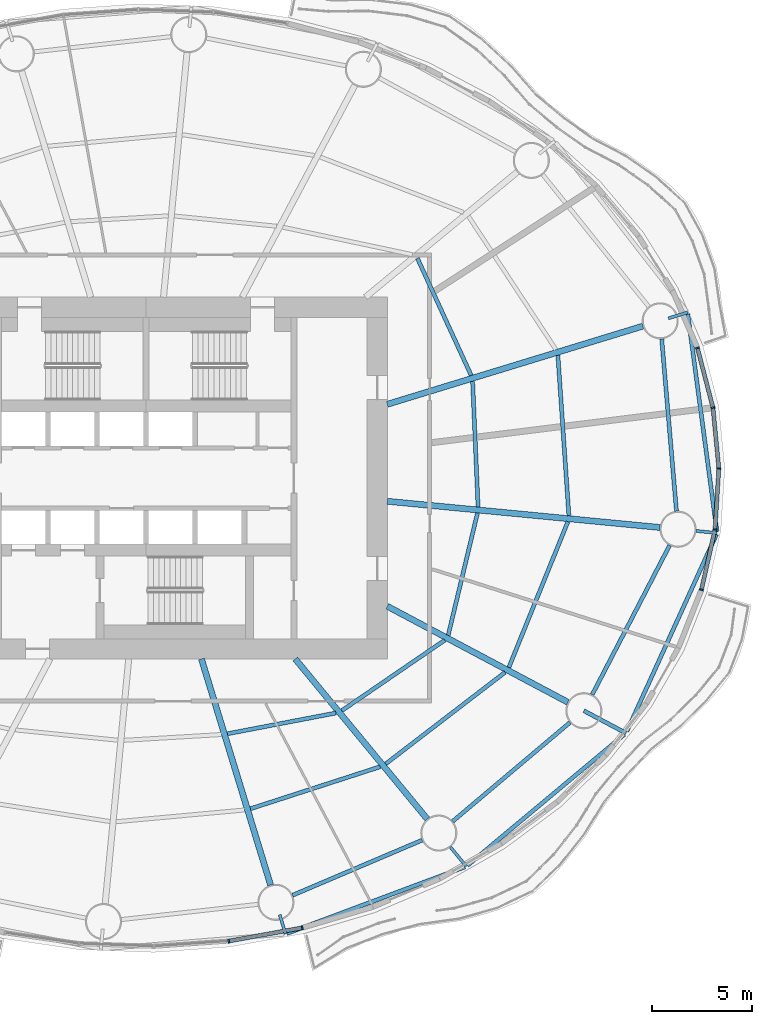
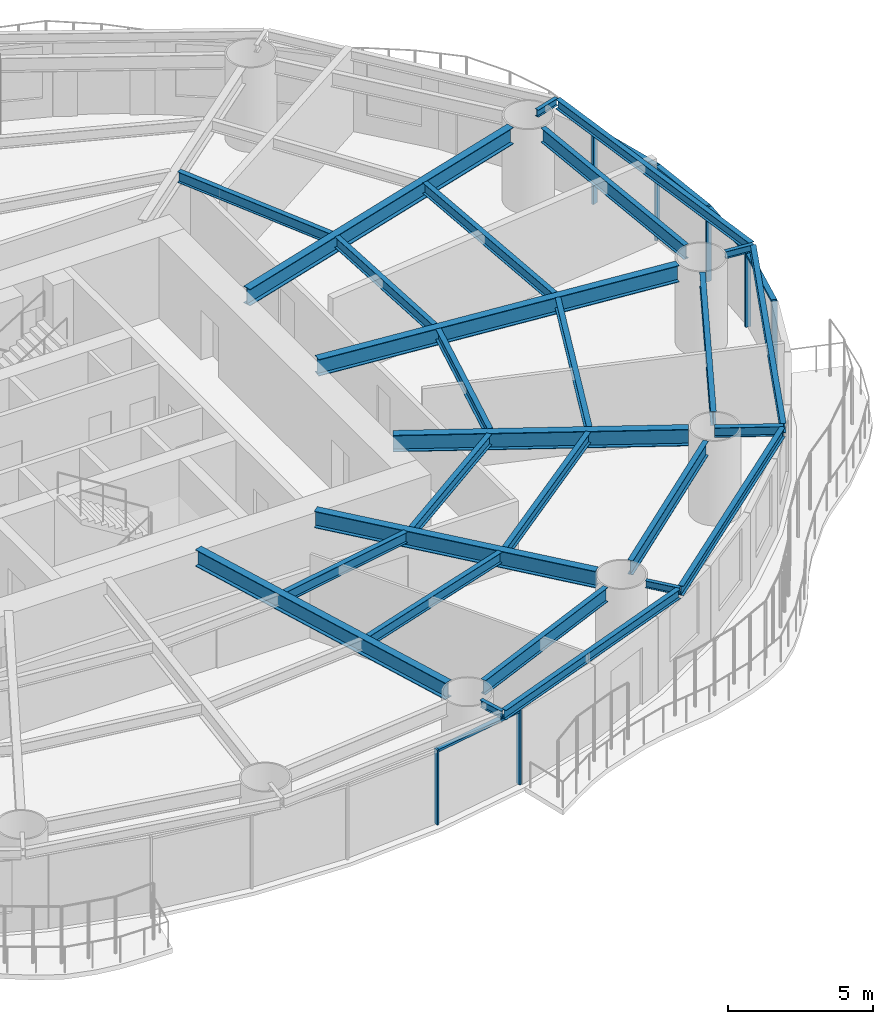
# One storey, part 4 of 17: 27 beams, 12 members, 5 elements without a shape of their own.
"""IFC4 building model written with IfcOpenShell, lengths in metres."""

from ifc_helpers import new_model, si_unit, direction, frame, origin, origin_2d, place, context, subcontext, project, spatial, rectangle, i_section, extrude, material, material_profile, profile_set, type_object, element, aggregate, save


model = new_model("IFC4")

# Units and contexts
model_context = context("Model", 3, precision=1e-05, world=origin(), true_north=direction((0.0, 1.0)))
body_context = subcontext(model_context, "Body", "Model", "MODEL_VIEW")
ifc_project = project(units=[si_unit("LENGTHUNIT", "METRE"), si_unit("AREAUNIT", "SQUARE_METRE"), si_unit("VOLUMEUNIT", "CUBIC_METRE"), si_unit("PLANEANGLEUNIT", "RADIAN"), si_unit("MASSUNIT", "GRAM", prefix="KILO")], contexts=[model_context])

# Site, building, storey
site_placement = place(None, origin())
site = spatial("IfcSite", under=ifc_project, at=site_placement, CompositionType="ELEMENT")
building_placement = place(site_placement, origin())
building = spatial("IfcBuilding", under=site, at=building_placement, Name="Vermilion Reach Broadcast Tower", CompositionType="ELEMENT")
storey_placement = place(building_placement, frame((0.0, 0.0, 39.699951171875)))
storey = spatial("IfcBuildingStorey", under=building, at=storey_placement, Name="L06", CompositionType="ELEMENT", Elevation=39.699951171875)

# Beams
ifc_material_1 = material(Name="Steel S355J2", Category="steel")
ifc_material_profile_1 = material_profile(ifc_material_1, i_section(OverallWidth=0.199951171875, OverallDepth=0.39990234375, WebThickness=0.008056640625, FlangeThickness=0.012939453125, at=origin_2d()), Name="S355J2 HN 400x200x8x13")
ifc_profile_set_1 = profile_set([ifc_material_profile_1], Name="Steel S355J2")
beam_type_1 = type_object("IfcBeamType", Name="EB1 HN 400x200x8x13", PredefinedType="BEAM", material=ifc_profile_set_1)
beam_1_placement = place(storey_placement, frame((1.009033203125, -22.6552734375, 3.35009765625), z_axis=(0.936695098181, 0.350146102424, 0.0), x_axis=(-0.350146102424, 0.936695098181, 0.0)))
element("IfcBeam", 1, at=beam_1_placement, inside=storey, type_object=beam_type_1, Name="Edge beam EB1-13", PredefinedType="BEAM", context=body_context, shape_type="SweptSolid", body=[
    extrude(i_section(OverallWidth=0.199951171875, OverallDepth=0.39990234375, WebThickness=0.008056640625, FlangeThickness=0.012939453125, at=origin_2d()), origin(), (0.0, 0.0, 1.0), 9.4462890625),
])
beam_2_placement = place(storey_placement, frame((9.9892578125, -19.271728515625, 3.35009765625), z_axis=(0.767787976171, 0.640704006268, 0.0), x_axis=(-0.640704006268, 0.767787976171, 0.0)))
element("IfcBeam", 2, at=beam_2_placement, inside=storey, type_object=beam_type_1, Name="Edge beam EB1-14", PredefinedType="BEAM", context=body_context, shape_type="SweptSolid", body=[
    extrude(i_section(OverallWidth=0.199951171875, OverallDepth=0.39990234375, WebThickness=0.008056640625, FlangeThickness=0.012939453125, at=origin_2d()), origin(), (0.0, 0.0, 1.0), 10.16455078125),
])
beam_3_placement = place(storey_placement, frame((17.91796875, -12.598876953125, 3.35009765625), z_axis=(0.414317272263, 0.910132516673, 0.0), x_axis=(-0.910132516673, 0.414317272263, 0.0)))
element("IfcBeam", 3, at=beam_3_placement, inside=storey, type_object=beam_type_1, Name="Edge beam EB1-15", PredefinedType="BEAM", context=body_context, shape_type="SweptSolid", body=[
    extrude(i_section(OverallWidth=0.199951171875, OverallDepth=0.39990234375, WebThickness=0.008056640625, FlangeThickness=0.012939453125, at=origin_2d()), origin(), (0.0, 0.0, 1.0), 10.763427734375),
])
beam_4_placement = place(storey_placement, frame((22.400146484375, -2.654296875, 3.35009765625), z_axis=(-0.132881452588, 0.991131938522, 0.0), x_axis=(-0.991131938522, -0.132881452588, 0.0)))
element("IfcBeam", 4, at=beam_4_placement, inside=storey, type_object=beam_type_1, Name="Edge beam EB1-16", PredefinedType="BEAM", context=body_context, shape_type="SweptSolid", body=[
    extrude(i_section(OverallWidth=0.199951171875, OverallDepth=0.39990234375, WebThickness=0.008056640625, FlangeThickness=0.012939453125, at=origin_2d()), origin(), (0.0, 0.0, 1.0), 10.917236328125),
])
ifc_material_2 = material(Name="Steel S355J2", Category="steel")
ifc_material_profile_2 = material_profile(ifc_material_2, i_section(OverallWidth=0.300048828125, OverallDepth=0.699951171875, WebThickness=0.012939453125, FlangeThickness=0.02392578125, at=origin_2d()), Name="S355J2 HN 700x300x13x24")
ifc_profile_set_2 = profile_set([ifc_material_profile_2], Name="Steel S355J2")
beam_type_2 = type_object("IfcBeamType", Name="G1 HN 700x300x13x24", PredefinedType="BEAM", material=ifc_profile_set_2)
beam_5_placement = place(storey_placement, frame((6.0, 3.671142578125, 3.199951171875), z_axis=(0.956255735186, 0.292531996409, 0.0), x_axis=(-0.292531996409, 0.956255735186, 0.0)))
element("IfcBeam", 5, at=beam_5_placement, inside=storey, type_object=beam_type_2, Name="Girder G1-01", PredefinedType="BEAM", context=body_context, shape_type="SweptSolid", body=[
    extrude(i_section(OverallWidth=0.300048828125, OverallDepth=0.699951171875, WebThickness=0.012939453125, FlangeThickness=0.02392578125, at=origin_2d()), origin(), (0.0, 0.0, 1.0), 13.29638671875),
])
beam_6_placement = place(storey_placement, frame((-3.246826171875, -9.0, 3.199951171875), z_axis=(0.292542302886, -0.95625258223, 0.0), x_axis=(0.95625258223, 0.292542302886, 0.0)))
element("IfcBeam", 6, at=beam_6_placement, inside=storey, type_object=beam_type_2, Name="Girder G1-13", PredefinedType="BEAM", context=body_context, shape_type="SweptSolid", body=[
    extrude(i_section(OverallWidth=0.300048828125, OverallDepth=0.699951171875, WebThickness=0.012939453125, FlangeThickness=0.02392578125, at=origin_2d()), origin(), (0.0, 0.0, 1.0), 11.76220703125),
])
beam_7_placement = place(storey_placement, frame((1.421630859375, -9.0, 3.199951171875), z_axis=(0.636215165107, -0.77151167437, 0.0), x_axis=(0.77151167437, 0.636215165107, 0.0)))
element("IfcBeam", 7, at=beam_7_placement, inside=storey, type_object=beam_type_2, Name="Girder G1-14", PredefinedType="BEAM", context=body_context, shape_type="SweptSolid", body=[
    extrude(i_section(OverallWidth=0.300048828125, OverallDepth=0.699951171875, WebThickness=0.012939453125, FlangeThickness=0.02392578125, at=origin_2d()), origin(), (0.0, 0.0, 1.0), 10.3251953125),
])
beam_8_placement = place(storey_placement, frame((6.0, -6.3779296875, 3.199951171875), z_axis=(0.883032139419, -0.469312519279, 0.0), x_axis=(0.469312519279, 0.883032139419, 0.0)))
element("IfcBeam", 8, at=beam_8_placement, inside=storey, type_object=beam_type_2, Name="Girder G1-15", PredefinedType="BEAM", context=body_context, shape_type="SweptSolid", body=[
    extrude(i_section(OverallWidth=0.300048828125, OverallDepth=0.699951171875, WebThickness=0.012939453125, FlangeThickness=0.02392578125, at=origin_2d()), origin(), (0.0, 0.0, 1.0), 10.17529296875),
])
beam_9_placement = place(storey_placement, frame((6.0, -1.1533203125, 3.199951171875), z_axis=(0.995412178872, -0.095679643363, 0.0), x_axis=(0.095679643363, 0.995412178872, 0.0)))
element("IfcBeam", 9, at=beam_9_placement, inside=storey, type_object=beam_type_2, Name="Girder G1-16", PredefinedType="BEAM", context=body_context, shape_type="SweptSolid", body=[
    extrude(i_section(OverallWidth=0.300048828125, OverallDepth=0.699951171875, WebThickness=0.012939453125, FlangeThickness=0.02392578125, at=origin_2d()), origin(), (0.0, 0.0, 1.0), 13.630859375),
])
ifc_material_3 = material(Name="Steel S355J2", Category="steel")
ifc_material_profile_3 = material_profile(ifc_material_3, i_section(OverallWidth=0.199951171875, OverallDepth=0.39990234375, WebThickness=0.008056640625, FlangeThickness=0.012939453125, at=origin_2d()), Name="S355J2 HN 400x200x8x13")
ifc_profile_set_3 = profile_set([ifc_material_profile_3], Name="Steel S355J2")
beam_type_3 = type_object("IfcBeamType", Name="GC1 HN 400x200x8x13", PredefinedType="BEAM", material=ifc_profile_set_3)
beam_10_placement = place(storey_placement, frame((15.77978515625, -11.57568359375, 3.35009765625), z_axis=(0.883046482276, -0.469285531568, 0.0), x_axis=(0.469285531568, 0.883046482276, 0.0)))
element("IfcBeam", 10, at=beam_10_placement, inside=storey, type_object=beam_type_3, Name="Cantilever girder GC1-15", PredefinedType="BEAM", context=body_context, shape_type="SweptSolid", body=[
    extrude(i_section(OverallWidth=0.199951171875, OverallDepth=0.39990234375, WebThickness=0.008056640625, FlangeThickness=0.012939453125, at=origin_2d()), origin(), (0.0, 0.0, 1.0), 2.374267578125),
])
ifc_material_4 = material(Name="Steel S355J2", Category="steel")
ifc_material_profile_4 = material_profile(ifc_material_4, i_section(OverallWidth=0.14990234375, OverallDepth=0.300048828125, WebThickness=0.006591796875, FlangeThickness=0.009033203125, at=origin_2d()), Name="S355J2 HN 300x150x6.5x9")
ifc_profile_set_4 = profile_set([ifc_material_profile_4], Name="Steel S355J2")
beam_type_4 = type_object("IfcBeamType", Name="GS1 HN 300x150x6.5x9", PredefinedType="BEAM", material=ifc_profile_set_4)
beam_11_placement = place(storey_placement, frame((19.983154296875, 7.94873046875, 3.400146484375), z_axis=(0.956205533022, 0.292696051594, 0.0), x_axis=(-0.292696051594, 0.956205533022, 0.0)))
element("IfcBeam", 11, at=beam_11_placement, inside=storey, type_object=beam_type_4, Name="Cantilever stub GS1-01", PredefinedType="BEAM", context=body_context, shape_type="SweptSolid", body=[
    extrude(i_section(OverallWidth=0.14990234375, OverallDepth=0.300048828125, WebThickness=0.006591796875, FlangeThickness=0.009033203125, at=origin_2d()), origin(), (0.0, 0.0, 1.0), 1.0),
])
beam_12_placement = place(storey_placement, frame((0.646240234375, -21.725341796875, 3.400146484375), z_axis=(0.292541120261, -0.956252944025, 0.0), x_axis=(0.956252944025, 0.292541120261, 0.0)))
element("IfcBeam", 12, at=beam_12_placement, inside=storey, type_object=beam_type_4, Name="Cantilever stub GS1-13", PredefinedType="BEAM", context=body_context, shape_type="SweptSolid", body=[
    extrude(i_section(OverallWidth=0.14990234375, OverallDepth=0.300048828125, WebThickness=0.006591796875, FlangeThickness=0.009033203125, at=origin_2d()), origin(), (0.0, 0.0, 1.0), 0.999755859375),
])
beam_13_placement = place(storey_placement, frame((9.1357421875, -18.354736328125, 3.400146484375), z_axis=(0.63624068846, -0.771490626222, 0.0), x_axis=(0.771490626222, 0.63624068846, 0.0)))
element("IfcBeam", 13, at=beam_13_placement, inside=storey, type_object=beam_type_4, Name="Cantilever stub GS1-14", PredefinedType="BEAM", context=body_context, shape_type="SweptSolid", body=[
    extrude(i_section(OverallWidth=0.14990234375, OverallDepth=0.300048828125, WebThickness=0.006591796875, FlangeThickness=0.009033203125, at=origin_2d()), origin(), (0.0, 0.0, 1.0), 1.2509765625),
])
beam_14_placement = place(storey_placement, frame((21.360107421875, -2.629638671875, 3.400146484375), z_axis=(0.995401395194, -0.095791766065, 0.0), x_axis=(0.095791766065, 0.995401395194, 0.0)))
element("IfcBeam", 14, at=beam_14_placement, inside=storey, type_object=beam_type_4, Name="Cantilever stub GS1-16", PredefinedType="BEAM", context=body_context, shape_type="SweptSolid", body=[
    extrude(i_section(OverallWidth=0.14990234375, OverallDepth=0.300048828125, WebThickness=0.006591796875, FlangeThickness=0.009033203125, at=origin_2d()), origin(), (0.0, 0.0, 1.0), 1.05517578125),
])
ifc_material_5 = material(Name="Steel S355J2", Category="steel")
ifc_material_profile_5 = material_profile(ifc_material_5, i_section(OverallWidth=0.199951171875, OverallDepth=0.60009765625, WebThickness=0.010986328125, FlangeThickness=0.01708984375, at=origin_2d()), Name="S355J2 HN 600x200x11x17")
ifc_profile_set_5 = profile_set([ifc_material_profile_5], Name="Steel S355J2")
beam_type_5 = type_object("IfcBeamType", Name="RB1 HN 600x200x11x17", PredefinedType="BEAM", material=ifc_profile_set_5)
beam_15_placement = place(storey_placement, frame((1.28564453125, -20.755859375, 3.25), z_axis=(0.920220846584, 0.391399531825, 0.0), x_axis=(-0.391399531825, 0.920220846584, 0.0)))
element("IfcBeam", 15, at=beam_15_placement, inside=storey, type_object=beam_type_5, Name="Ring beam RB1-13", PredefinedType="BEAM", context=body_context, shape_type="SweptSolid", body=[
    extrude(i_section(OverallWidth=0.199951171875, OverallDepth=0.60009765625, WebThickness=0.010986328125, FlangeThickness=0.01708984375, at=origin_2d()), origin(), (0.0, 0.0, 1.0), 7.008544921875),
])
beam_16_placement = place(storey_placement, frame((9.251220703125, -17.080322265625, 3.25), z_axis=(0.764512441084, 0.6446089725, 0.0), x_axis=(-0.6446089725, 0.764512441084, 0.0)))
element("IfcBeam", 16, at=beam_16_placement, inside=storey, type_object=beam_type_5, Name="Ring beam RB1-14", PredefinedType="BEAM", context=body_context, shape_type="SweptSolid", body=[
    extrude(i_section(OverallWidth=0.199951171875, OverallDepth=0.60009765625, WebThickness=0.010986328125, FlangeThickness=0.01708984375, at=origin_2d()), origin(), (0.0, 0.0, 1.0), 7.6396484375),
])
beam_17_placement = place(storey_placement, frame((16.194091796875, -10.776611328125, 3.25), z_axis=(0.460411617218, 0.887705549566, 0.0), x_axis=(-0.887705549566, 0.460411617218, 0.0)))
element("IfcBeam", 17, at=beam_17_placement, inside=storey, type_object=beam_type_5, Name="Ring beam RB1-15", PredefinedType="BEAM", context=body_context, shape_type="SweptSolid", body=[
    extrude(i_section(OverallWidth=0.199951171875, OverallDepth=0.60009765625, WebThickness=0.010986328125, FlangeThickness=0.01708984375, at=origin_2d()), origin(), (0.0, 0.0, 1.0), 8.37451171875),
])
beam_18_placement = place(storey_placement, frame((20.38720703125, -1.646728515625, 3.25), z_axis=(-0.085395508608, 0.996347131832, 0.0), x_axis=(-0.996347131832, -0.085395508608, 0.0)))
element("IfcBeam", 18, at=beam_18_placement, inside=storey, type_object=beam_type_5, Name="Ring beam RB1-16", PredefinedType="BEAM", context=body_context, shape_type="SweptSolid", body=[
    extrude(i_section(OverallWidth=0.199951171875, OverallDepth=0.60009765625, WebThickness=0.010986328125, FlangeThickness=0.01708984375, at=origin_2d()), origin(), (0.0, 0.0, 1.0), 8.60546875),
])
ifc_material_6 = material(Name="Steel S355J2", Category="steel")
ifc_material_profile_6 = material_profile(ifc_material_6, i_section(OverallWidth=0.199951171875, OverallDepth=0.449951171875, WebThickness=0.009033203125, FlangeThickness=0.013916015625, at=origin_2d()), Name="S355J2 HN 450x200x9x14")
ifc_profile_set_6 = profile_set([ifc_material_profile_6], Name="Steel S355J2")
beam_type_6 = type_object("IfcBeamType", Name="SB1 HN 450x200x9x14", PredefinedType="BEAM", material=ifc_profile_set_6)
beam_19_placement = place(storey_placement, frame((10.175048828125, 5.105224609375, 3.324951171875), z_axis=(-0.417211452529, 0.908809443106, 0.0), x_axis=(-0.908809443106, -0.417211452529, 0.0)))
element("IfcBeam", 19, at=beam_19_placement, inside=storey, type_object=beam_type_6, Name="Secondary beam SB1-01-1", PredefinedType="BEAM", context=body_context, shape_type="SweptSolid", body=[
    extrude(i_section(OverallWidth=0.199951171875, OverallDepth=0.449951171875, WebThickness=0.009033203125, FlangeThickness=0.013916015625, at=origin_2d()), origin(), (0.0, 0.0, 1.0), 6.41650390625),
])
beam_20_placement = place(storey_placement, frame((-1.95166015625, -12.720703125, 3.324951171875), z_axis=(0.982151348822, 0.188092339045, 0.0), x_axis=(-0.188092339045, 0.982151348822, 0.0)))
element("IfcBeam", 20, at=beam_20_placement, inside=storey, type_object=beam_type_6, Name="Secondary beam SB1-13-1", PredefinedType="BEAM", context=body_context, shape_type="SweptSolid", body=[
    extrude(i_section(OverallWidth=0.199951171875, OverallDepth=0.449951171875, WebThickness=0.009033203125, FlangeThickness=0.013916015625, at=origin_2d()), origin(), (0.0, 0.0, 1.0), 5.4931640625),
])
beam_21_placement = place(storey_placement, frame((-0.81005859375, -16.4521484375, 3.324951171875), z_axis=(0.951332300844, 0.308166924523, 0.0), x_axis=(-0.308166924523, 0.951332300844, 0.0)))
element("IfcBeam", 21, at=beam_21_placement, inside=storey, type_object=beam_type_6, Name="Secondary beam SB1-13-2", PredefinedType="BEAM", context=body_context, shape_type="SweptSolid", body=[
    extrude(i_section(OverallWidth=0.199951171875, OverallDepth=0.449951171875, WebThickness=0.009033203125, FlangeThickness=0.013916015625, at=origin_2d()), origin(), (0.0, 0.0, 1.0), 6.787841796875),
])
beam_22_placement = place(storey_placement, frame((3.735595703125, -11.5703125, 3.324951171875), z_axis=(0.825140253447, 0.564927926502, 0.0), x_axis=(-0.564927926502, 0.825140253447, 0.0)))
element("IfcBeam", 22, at=beam_22_placement, inside=storey, type_object=beam_type_6, Name="Secondary beam SB1-14-1", PredefinedType="BEAM", context=body_context, shape_type="SweptSolid", body=[
    extrude(i_section(OverallWidth=0.199951171875, OverallDepth=0.449951171875, WebThickness=0.009033203125, FlangeThickness=0.013916015625, at=origin_2d()), origin(), (0.0, 0.0, 1.0), 6.20458984375),
])
beam_23_placement = place(storey_placement, frame((5.920166015625, -14.21923828125, 3.324951171875), z_axis=(0.793349617473, 0.60876628065, 0.0), x_axis=(-0.60876628065, 0.793349617473, 0.0)))
element("IfcBeam", 23, at=beam_23_placement, inside=storey, type_object=beam_type_6, Name="Secondary beam SB1-14-2", PredefinedType="BEAM", context=body_context, shape_type="SweptSolid", body=[
    extrude(i_section(OverallWidth=0.199951171875, OverallDepth=0.449951171875, WebThickness=0.009033203125, FlangeThickness=0.013916015625, at=origin_2d()), origin(), (0.0, 0.0, 1.0), 7.486328125),
])
beam_24_placement = place(storey_placement, frame((9.031005859375, -7.81884765625, 3.324951171875), z_axis=(0.232844467589, 0.972513986487, 0.0), x_axis=(-0.972513986487, 0.232844467589, 0.0)))
element("IfcBeam", 24, at=beam_24_placement, inside=storey, type_object=beam_type_6, Name="Secondary beam SB1-15-1", PredefinedType="BEAM", context=body_context, shape_type="SweptSolid", body=[
    extrude(i_section(OverallWidth=0.199951171875, OverallDepth=0.449951171875, WebThickness=0.009033203125, FlangeThickness=0.013916015625, at=origin_2d()), origin(), (0.0, 0.0, 1.0), 6.25537109375),
])
beam_25_placement = place(storey_placement, frame((12.046630859375, -9.421630859375, 3.324951171875), z_axis=(0.375640669938, 0.926765389453, 0.0), x_axis=(-0.926765389453, 0.375640669938, 0.0)))
element("IfcBeam", 25, at=beam_25_placement, inside=storey, type_object=beam_type_6, Name="Secondary beam SB1-15-2", PredefinedType="BEAM", context=body_context, shape_type="SweptSolid", body=[
    extrude(i_section(OverallWidth=0.199951171875, OverallDepth=0.449951171875, WebThickness=0.009033203125, FlangeThickness=0.013916015625, at=origin_2d()), origin(), (0.0, 0.0, 1.0), 7.8271484375),
])
beam_26_placement = place(storey_placement, frame((10.51611328125, -1.436767578125, 3.324951171875), z_axis=(-0.043361007512, 0.999059469215, 0.0), x_axis=(-0.999059469215, -0.043361007512, 0.0)))
element("IfcBeam", 26, at=beam_26_placement, inside=storey, type_object=beam_type_6, Name="Secondary beam SB1-16-1", PredefinedType="BEAM", context=body_context, shape_type="SweptSolid", body=[
    extrude(i_section(OverallWidth=0.199951171875, OverallDepth=0.449951171875, WebThickness=0.009033203125, FlangeThickness=0.013916015625, at=origin_2d()), origin(), (0.0, 0.0, 1.0), 6.25537109375),
])
beam_27_placement = place(storey_placement, frame((15.03515625, -1.87109375, 3.324951171875), z_axis=(-0.068507801475, 0.997650580683, 0.0), x_axis=(-0.997650580683, -0.068507801475, 0.0)))
element("IfcBeam", 27, at=beam_27_placement, inside=storey, type_object=beam_type_6, Name="Secondary beam SB1-16-2", PredefinedType="BEAM", context=body_context, shape_type="SweptSolid", body=[
    extrude(i_section(OverallWidth=0.199951171875, OverallDepth=0.449951171875, WebThickness=0.009033203125, FlangeThickness=0.013916015625, at=origin_2d()), origin(), (0.0, 0.0, 1.0), 8.00048828125),
])

# Curtain wall, member
ifc_material_7 = material(Name="Low-e laminated clear glass in aluminium frame", Category="aluminium")
curtain_wall_type = type_object("IfcCurtainWallType", Name="Slot curtain wall", PredefinedType="NOTDEFINED", material=ifc_material_7)
placement = place(storey_placement, origin())
curtain_wall_1 = element("IfcCurtainWall", 28, at=placement, inside=storey, type_object=curtain_wall_type, Name="Slot curtain wall L06 46", PredefinedType="NOTDEFINED")
ifc_material_8 = material(Name="Anodised aluminium", Category="aluminium")
ifc_material_profile_7 = material_profile(ifc_material_8, rectangle(XDim=0.199951171875, YDim=0.080078125, at=origin_2d()), Name="Slot mullion 80 x 200")
ifc_profile_set_7 = profile_set([ifc_material_profile_7], Name="Anodised aluminium")
member_type_1 = type_object("IfcMemberType", Name="Slot mullion 80 x 200", PredefinedType="MULLION", material=ifc_profile_set_7)
member_1_placement = place(storey_placement, frame((21.6298828125, -5.552734375, 0.0), z_axis=(0.0, 0.0, 1.0), x_axis=(-0.955724072113, 0.294264333522, 0.0)))
member_1 = element("IfcMember", 29, at=member_1_placement, type_object=member_type_1, Name="Slot mullion L06 46", PredefinedType="MULLION", context=body_context, shape_type="SweptSolid", body=[
    extrude(rectangle(XDim=0.199951171875, YDim=0.080078125, at=origin_2d()), origin(), (0.0, 0.0, 1.0), 3.150146484375),
])

curtain_wall_2 = element("IfcCurtainWall", 30, at=placement, inside=storey, type_object=curtain_wall_type, Name="Slot curtain wall L06 47", PredefinedType="NOTDEFINED")
member_2_placement = place(storey_placement, frame((22.3037109375, -2.558837890625, 0.0), z_axis=(0.0, 0.0, 1.0), x_axis=(-0.989903111178, 0.141745654187, 0.0)))
member_2 = element("IfcMember", 31, at=member_2_placement, type_object=member_type_1, Name="Slot mullion L06 47", PredefinedType="MULLION", context=body_context, shape_type="SweptSolid", body=[
    extrude(rectangle(XDim=0.199951171875, YDim=0.080078125, at=origin_2d()), origin(), (0.0, 0.0, 1.0), 3.150146484375),
])

curtain_wall_3 = element("IfcCurtainWall", 32, at=placement, inside=storey, type_object=curtain_wall_type, Name="Slot curtain wall L06 00", PredefinedType="NOTDEFINED")
member_3_placement = place(storey_placement, frame((22.495361328125, 0.4775390625, 0.0), z_axis=(0.0, 0.0, 1.0), x_axis=(-0.999859636549, -0.016754318827, 0.0)))
member_3 = element("IfcMember", 33, at=member_3_placement, type_object=member_type_1, Name="Slot mullion L06 00", PredefinedType="MULLION", context=body_context, shape_type="SweptSolid", body=[
    extrude(rectangle(XDim=0.199951171875, YDim=0.080078125, at=origin_2d()), origin(), (0.0, 0.0, 1.0), 3.150146484375),
])

# Curtain wall, members
curtain_wall_4 = element("IfcCurtainWall", 34, at=placement, inside=storey, type_object=curtain_wall_type, Name="Slot curtain wall L06 01", PredefinedType="NOTDEFINED")
member_4_placement = place(storey_placement, frame((22.2021484375, 3.505859375, 0.0), z_axis=(0.0, 0.0, 1.0), x_axis=(-0.984598315327, -0.174831797611, 0.0)))
member_4 = element("IfcMember", 35, at=member_4_placement, type_object=member_type_1, Name="Slot mullion L06 01", PredefinedType="MULLION", context=body_context, shape_type="SweptSolid", body=[
    extrude(rectangle(XDim=0.199951171875, YDim=0.080078125, at=origin_2d()), origin(), (0.0, 0.0, 1.0), 3.150146484375),
])
member_5_placement = place(storey_placement, frame((21.42822265625, 6.475341796875, 0.0), z_axis=(0.0, 0.0, 1.0), x_axis=(-0.945328463516, -0.326119757245, 0.0)))
member_5 = element("IfcMember", 36, at=member_5_placement, type_object=member_type_1, Name="Slot mullion L06 02", PredefinedType="MULLION", context=body_context, shape_type="SweptSolid", body=[
    extrude(rectangle(XDim=0.199951171875, YDim=0.080078125, at=origin_2d()), origin(), (0.0, 0.0, 1.0), 3.150146484375),
])

curtain_wall_5 = element("IfcCurtainWall", 37, at=placement, inside=storey, type_object=curtain_wall_type, Name="Slot curtain wall L06 37", PredefinedType="NOTDEFINED")
member_6_placement = place(storey_placement, frame((-1.88671875, -23.03369140625, 0.0), z_axis=(0.0, 0.0, 1.0), x_axis=(-0.12405054806, 0.992275899902, 0.0)))
member_6 = element("IfcMember", 38, at=member_6_placement, type_object=member_type_1, Name="Slot mullion L06 37", PredefinedType="MULLION", context=body_context, shape_type="SweptSolid", body=[
    extrude(rectangle(XDim=0.199951171875, YDim=0.080078125, at=origin_2d()), origin(), (0.0, 0.0, 1.0), 3.150146484375),
])
member_7_placement = place(storey_placement, frame((1.765380859375, -22.37548828125, 0.0), z_axis=(0.0, 0.0, 1.0), x_axis=(-0.231085720101, 0.972933394414, 0.0)))
member_7 = element("IfcMember", 39, at=member_7_placement, type_object=member_type_1, Name="Slot mullion L06 38", PredefinedType="MULLION", context=body_context, shape_type="SweptSolid", body=[
    extrude(rectangle(XDim=0.199951171875, YDim=0.080078125, at=origin_2d()), origin(), (0.0, 0.0, 1.0), 3.150146484375),
])

# Member
ifc_material_9 = material(Name="Anodised aluminium", Category="aluminium")
ifc_material_profile_8 = material_profile(ifc_material_9, rectangle(XDim=0.199951171875, YDim=0.10009765625, at=origin_2d()), Name="Slot transom 200 x 100")
ifc_profile_set_8 = profile_set([ifc_material_profile_8], Name="Anodised aluminium")
member_type_2 = type_object("IfcMemberType", Name="Slot transom 200 x 100", PredefinedType="USERDEFINED", material=ifc_profile_set_8)
member_8_placement = place(storey_placement, frame((21.638671875, -5.513671875, 3.10009765625), z_axis=(0.219576339601, 0.975595321374, 0.0), x_axis=(-0.975595321374, 0.219576339601, 0.0)))
member_8 = element("IfcMember", 40, at=member_8_placement, type_object=member_type_2, Name="Slot transom L06 46.1", ObjectType="TRANSOM", PredefinedType="USERDEFINED", context=body_context, shape_type="SweptSolid", body=[
    extrude(rectangle(XDim=0.199951171875, YDim=0.10009765625, at=origin_2d()), origin(), (0.0, 0.0, 1.0), 2.98876953125),
])

aggregate(curtain_wall_1, [member_1, member_8])

member_9_placement = place(storey_placement, frame((22.30615234375, -2.51904296875, 3.10009765625), z_axis=(0.063045265189, 0.998010668549, 0.0), x_axis=(-0.998010668549, 0.063045265189, 0.0)))
member_9 = element("IfcMember", 41, at=member_9_placement, type_object=member_type_2, Name="Slot transom L06 47.1", ObjectType="TRANSOM", PredefinedType="USERDEFINED", context=body_context, shape_type="SweptSolid", body=[
    extrude(rectangle(XDim=0.199951171875, YDim=0.10009765625, at=origin_2d()), origin(), (0.0, 0.0, 1.0), 2.96240234375),
])

aggregate(curtain_wall_2, [member_2, member_9])

member_10_placement = place(storey_placement, frame((22.491455078125, 0.517333984375, 3.10009765625), z_axis=(-0.096419007722, 0.995340833559, 0.0), x_axis=(-0.995340833559, -0.096419007722, 0.0)))
member_10 = element("IfcMember", 42, at=member_10_placement, type_object=member_type_2, Name="Slot transom L06 00.1", ObjectType="TRANSOM", PredefinedType="USERDEFINED", context=body_context, shape_type="SweptSolid", body=[
    extrude(rectangle(XDim=0.199951171875, YDim=0.10009765625, at=origin_2d()), origin(), (0.0, 0.0, 1.0), 2.962646484375),
])

aggregate(curtain_wall_3, [member_3, member_10])

member_11_placement = place(storey_placement, frame((22.19189453125, 3.54443359375, 3.10009765625), z_axis=(-0.252095989495, 0.967702233169, 0.0), x_axis=(-0.967702233169, -0.252095989495, 0.0)))
member_11 = element("IfcMember", 43, at=member_11_placement, type_object=member_type_2, Name="Slot transom L06 01.1", ObjectType="TRANSOM", PredefinedType="USERDEFINED", context=body_context, shape_type="SweptSolid", body=[
    extrude(rectangle(XDim=0.199951171875, YDim=0.10009765625, at=origin_2d()), origin(), (0.0, 0.0, 1.0), 2.988525390625),
])

aggregate(curtain_wall_4, [member_4, member_5, member_11])

member_12_placement = place(storey_placement, frame((-1.84716796875, -23.026611328125, 3.10009765625), z_axis=(0.984142030304, 0.177382254437, 0.0), x_axis=(-0.177382254437, 0.984142030304, 0.0)))
member_12 = element("IfcMember", 44, at=member_12_placement, type_object=member_type_2, Name="Slot transom L06 37.1", ObjectType="TRANSOM", PredefinedType="USERDEFINED", context=body_context, shape_type="SweptSolid", body=[
    extrude(rectangle(XDim=0.199951171875, YDim=0.10009765625, at=origin_2d()), origin(), (0.0, 0.0, 1.0), 3.630859375),
])

aggregate(curtain_wall_5, [member_6, member_7, member_12])

save(model, "model.ifc")
